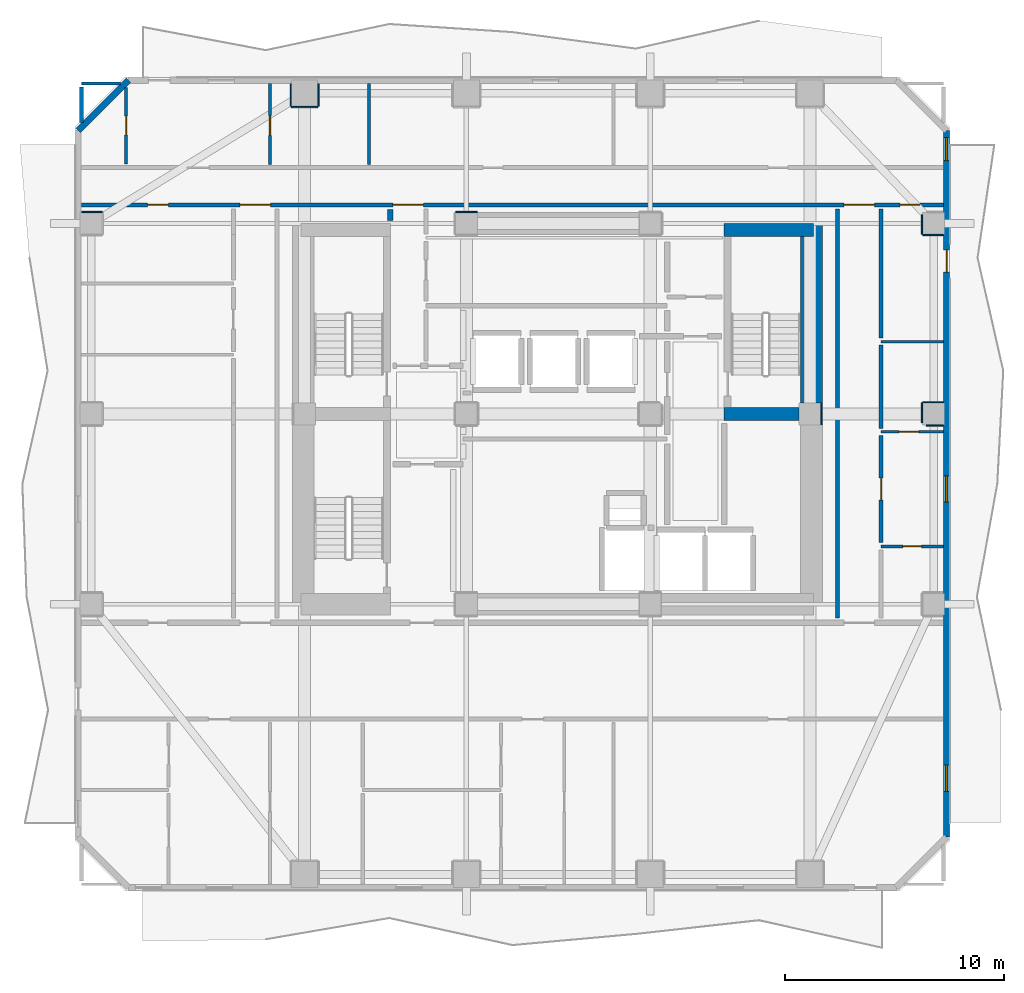
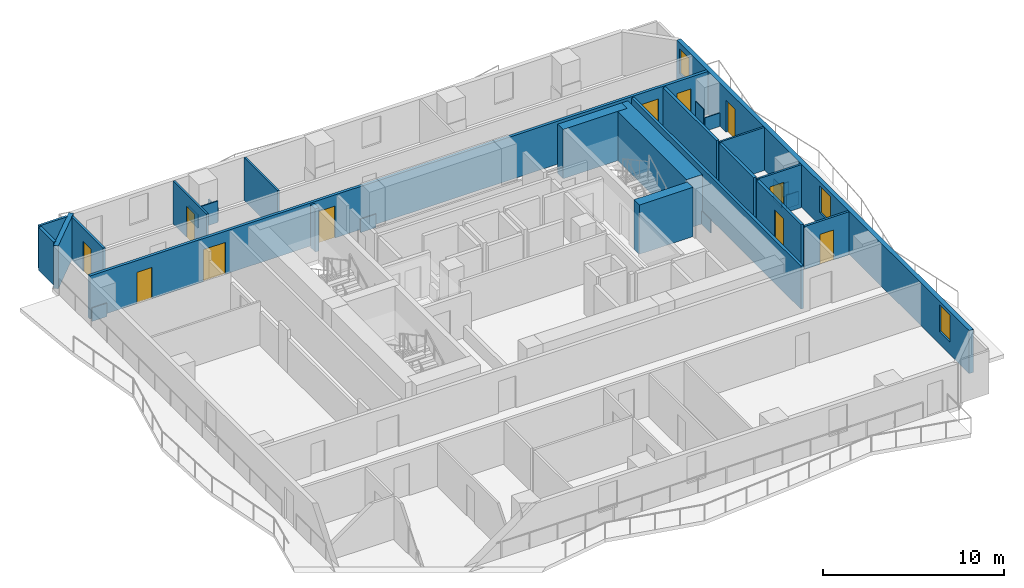
# One storey, part 5 of 10: 30 walls, 11 doors, 3 windows, 14 openings.
"""IFC4 building model written with IfcOpenShell, lengths in metres."""

from ifc_helpers import new_model, si_unit, direction, frame, frame_2d, origin, place, context, subcontext, project, spatial, rectangle, extrude, material, layer, layer_set, type_object, element, fill, save


model = new_model("IFC4")

# Units and contexts
model_context = context("Model", 3, precision=1e-05, world=origin(), true_north=direction((0.0, 1.0)))
body_context = subcontext(model_context, "Body", "Model", "MODEL_VIEW")
ifc_project = project(units=[si_unit("LENGTHUNIT", "METRE"), si_unit("AREAUNIT", "SQUARE_METRE"), si_unit("VOLUMEUNIT", "CUBIC_METRE"), si_unit("PLANEANGLEUNIT", "RADIAN"), si_unit("MASSUNIT", "GRAM", prefix="KILO")], contexts=[model_context])

# Site, building, storey
site_placement = place(None, origin())
site = spatial("IfcSite", under=ifc_project, at=site_placement, CompositionType="ELEMENT")
building_placement = place(site_placement, origin())
building = spatial("IfcBuilding", under=site, at=building_placement, Name="Solanera Arch Residences", CompositionType="ELEMENT")
storey_placement = place(building_placement, frame((0.0, 0.0, 122.679931640625)))
storey = spatial("IfcBuildingStorey", under=building, at=storey_placement, Name="L35", CompositionType="ELEMENT", Elevation=122.679931640625)

# Walls
ifc_material_1 = material(Name="Fire-Rated Gypsum Stud Partition", Category="gypsum")
ifc_layer_1 = layer(ifc_material_1, 0.06005859375)
ifc_layer_set_1 = layer_set([ifc_layer_1], Name="Fire-Rated Gypsum Stud Partition")
wall_type_1 = type_object("IfcWallType", Name="Column Acoustic Furring Wall 60", PredefinedType="PARTITIONING", material=ifc_layer_set_1)
wall_1_placement = place(storey_placement, frame((20.300048828125, 39.931884765625, 0.0), z_axis=(0.0, 0.0, 1.0), x_axis=(1.0, 0.0, 0.0)))
element("IfcWall", 1, at=wall_1_placement, inside=storey, type_object=wall_type_1, Name="L35 Column Furring 3N", PredefinedType="PARTITIONING", context=body_context, shape_type="SweptSolid", body=[
    extrude(rectangle(XDim=1.0, YDim=0.06005859375, at=frame_2d((0.5, 0.0))), origin(), (0.0, 0.0, 1.0), 0.905029296875),
])
wall_2_placement = place(storey_placement, frame((37.031982421875, 30.2099609375, 0.0), z_axis=(0.0, 0.0, 1.0), x_axis=(0.0, 1.0, 0.0)))
element("IfcWall", 2, at=wall_2_placement, inside=storey, type_object=wall_type_1, Name="L35 Column Furring 6E", PredefinedType="PARTITIONING", context=body_context, shape_type="SweptSolid", body=[
    extrude(rectangle(XDim=0.97998046875, YDim=0.06005859375, at=frame_2d((0.489990234375, 0.0))), origin(), (0.0, 0.0, 1.0), 0.905029296875),
])
wall_3_placement = place(storey_placement, frame((12.800048828125, 44.718017578125, 0.0), z_axis=(0.0, 0.0, 1.0), x_axis=(1.0, 0.0, 0.0)))
element("IfcWall", 3, at=wall_3_placement, inside=storey, type_object=wall_type_1, Name="L35 Column Furring 10S", PredefinedType="PARTITIONING", context=body_context, shape_type="SweptSolid", body=[
    extrude(rectangle(XDim=1.199951171875, YDim=0.06005859375, at=frame_2d((0.60009765625, 0.0))), origin(), (0.0, 0.0, 1.0), 1.449951171875),
])
for number, where, z_axis, x_axis, name in (
    (4, (12.76806640625, 44.75, 0.0), (0.0, 0.0, 1.0), (0.0, 1.0, 0.0), "L35 Column Furring 10W"),
    (5, (14.031982421875, 44.75, 0.0), (0.0, 0.0, 1.0), (0.0, 1.0, 0.0), "L35 Column Furring 10E"),
):
    element("IfcWall", number, at=place(storey_placement, frame(where, z_axis=z_axis, x_axis=x_axis)), inside=storey, type_object=wall_type_1, Name=name, PredefinedType="PARTITIONING", context=body_context, shape_type="SweptSolid", body=[
        extrude(rectangle(XDim=1.0400390625, YDim=0.06005859375, at=frame_2d((0.52001953125, 0.0))), origin(), (0.0, 0.0, 1.0), 0.905029296875),
    ])
wall_4_placement = place(storey_placement, frame((41.81103515625, 30.16796875, 0.0), z_axis=(0.0, 0.0, 1.0), x_axis=(1.0, 0.0, 0.0)))
element("IfcWall", 6, at=wall_4_placement, inside=storey, type_object=wall_type_1, Name="L35 Column Furring 20S", PredefinedType="PARTITIONING", context=body_context, shape_type="SweptSolid", body=[
    extrude(rectangle(XDim=0.779052734375, YDim=0.06005859375, at=frame_2d((0.3896484375, 0.0))), origin(), (0.0, 0.0, 1.0), 0.905029296875),
])
wall_5_placement = place(storey_placement, frame((41.64990234375, 31.23193359375, 0.0), z_axis=(0.0, 0.0, 1.0), x_axis=(1.0, 0.0, 0.0)))
element("IfcWall", 7, at=wall_5_placement, inside=storey, type_object=wall_type_1, Name="L35 Column Furring 20N", PredefinedType="PARTITIONING", context=body_context, shape_type="SweptSolid", body=[
    extrude(rectangle(XDim=0.940185546875, YDim=0.06005859375, at=frame_2d((0.47021484375, 0.0))), origin(), (0.0, 0.0, 1.0), 0.905029296875),
])
wall_6_placement = place(storey_placement, frame((41.617919921875, 30.302978515625, 0.0), z_axis=(0.0, 0.0, 1.0), x_axis=(0.0, 1.0, 0.0)))
element("IfcWall", 8, at=wall_6_placement, inside=storey, type_object=wall_type_1, Name="L35 Column Furring 20W", PredefinedType="PARTITIONING", context=body_context, shape_type="SweptSolid", body=[
    extrude(rectangle(XDim=0.89697265625, YDim=0.06005859375, at=frame_2d((0.448486328125, 0.0))), origin(), (0.0, 0.0, 1.0), 1.449951171875),
])
wall_7_placement = place(storey_placement, frame((3.2099609375, 39.931884765625, 0.0), z_axis=(0.0, 0.0, 1.0), x_axis=(1.0, 0.0, 0.0)))
element("IfcWall", 9, at=wall_7_placement, inside=storey, type_object=wall_type_1, Name="L35 Column Furring 21N", PredefinedType="PARTITIONING", context=body_context, shape_type="SweptSolid", body=[
    extrude(rectangle(XDim=0.93994140625, YDim=0.06005859375, at=frame_2d((0.469970703125, 0.0))), origin(), (0.0, 0.0, 1.0), 0.905029296875),
])
wall_8_placement = place(storey_placement, frame((41.64990234375, 38.867919921875, 0.0), z_axis=(0.0, 0.0, 1.0), x_axis=(1.0, 0.0, 0.0)))
element("IfcWall", 10, at=wall_8_placement, inside=storey, type_object=wall_type_1, Name="L35 Column Furring 22S", PredefinedType="PARTITIONING", context=body_context, shape_type="SweptSolid", body=[
    extrude(rectangle(XDim=0.940185546875, YDim=0.06005859375, at=frame_2d((0.47021484375, 0.0))), origin(), (0.0, 0.0, 1.0), 0.905029296875),
])
wall_9_placement = place(storey_placement, frame((41.617919921875, 38.89990234375, 0.0), z_axis=(0.0, 0.0, 1.0), x_axis=(0.0, 1.0, 0.0)))
element("IfcWall", 11, at=wall_9_placement, inside=storey, type_object=wall_type_1, Name="L35 Column Furring 22W", PredefinedType="PARTITIONING", context=body_context, shape_type="SweptSolid", body=[
    extrude(rectangle(XDim=0.9111328125, YDim=0.06005859375, at=frame_2d((0.45556640625, 0.0))), origin(), (0.0, 0.0, 1.0), 1.449951171875),
])
ifc_material_2 = material(Name="Concrete C55/67 (f'c = 60 MPa)", Category="concrete")
ifc_layer_2 = layer(ifc_material_2, 1.0)
ifc_layer_set_2 = layer_set([ifc_layer_2], Name="Concrete C55/67 (f'c = 60 MPa)")
wall_type_2 = type_object("IfcWallType", Name="Core Shear Wall CW-1000", PredefinedType="SHEAR", material=ifc_layer_set_2)
wall_10_placement = place(storey_placement, frame((36.56005859375, 31.205078125, 0.0), z_axis=(0.0, 0.0, 1.0), x_axis=(0.0, 1.0, 0.0)))
element("IfcWall", 12, at=wall_10_placement, inside=storey, type_object=wall_type_2, Name="L35 East Core North Shear Wall", PredefinedType="SHEAR", context=body_context, shape_type="SweptSolid", body=[
    extrude(rectangle(XDim=8.19482421875, YDim=1.0, at=frame_2d((4.097412109375, 0.0))), origin(), (0.0, 0.0, 1.0), 3.320068359375),
])
ifc_material_3 = material(Name="Concrete C40/50 (f'c = 45 MPa)", Category="concrete")
ifc_layer_3 = layer(ifc_material_3, 0.60009765625)
ifc_layer_set_3 = layer_set([ifc_layer_3], Name="Concrete C40/50 (f'c = 45 MPa)")
wall_type_3 = type_object("IfcWallType", Name="Core Shear Wall CW-600", PredefinedType="SHEAR", material=ifc_layer_set_3)
wall_11_placement = place(storey_placement, frame((32.580078125, 39.10009765625, 0.0), z_axis=(0.0, 0.0, 1.0), x_axis=(1.0, 0.0, 0.0)))
element("IfcWall", 13, at=wall_11_placement, inside=storey, type_object=wall_type_3, Name="L35 North-East Core Shear Wall", PredefinedType="SHEAR", context=body_context, shape_type="SweptSolid", body=[
    extrude(rectangle(XDim=4.079833984375, YDim=0.60009765625, at=frame_2d((2.0400390625, 0.0))), origin(), (0.0, 0.0, 1.0), 3.320068359375),
])
wall_12_placement = place(storey_placement, frame((32.580078125, 30.699951171875, 0.0), z_axis=(0.0, 0.0, 1.0), x_axis=(1.0, 0.0, 0.0)))
element("IfcWall", 14, at=wall_12_placement, inside=storey, type_object=wall_type_3, Name="L35 East Stair Far-Landing Shear Wall", PredefinedType="SHEAR", context=body_context, shape_type="SweptSolid", body=[
    extrude(rectangle(XDim=3.4150390625, YDim=0.60009765625, at=frame_2d((1.70751953125, 0.0))), origin(), (0.0, 0.0, 1.0), 3.320068359375),
])

# Wall, openings, doors
ifc_material_4 = material(Name="Autoclaved Aerated Concrete Blockwork", Category="masonry")
ifc_layer_4 = layer(ifc_material_4, 0.179931640625)
ifc_layer_set_4 = layer_set([ifc_layer_4], Name="Autoclaved Aerated Concrete Blockwork")
wall_type_4 = type_object("IfcWallType", Name="Corridor Fire Partition 180", PredefinedType="PARTITIONING", material=ifc_layer_set_4)
wall_13_placement = place(storey_placement, frame((3.20703125, 40.25, 0.0), z_axis=(0.0, 0.0, 1.0), x_axis=(1.0, 0.0, 0.0)))
wall_13 = element("IfcWall", 15, at=wall_13_placement, inside=storey, type_object=wall_type_4, Name="L35 Interior Partition H11", PredefinedType="PARTITIONING", context=body_context, shape_type="SweptSolid", body=[
    extrude(rectangle(XDim=39.385986328125, YDim=0.179931640625, at=frame_2d((19.69287109375, 0.0))), origin(), (0.0, 0.0, 1.0), 2.900146484375),
])
opening_1_placement = place(wall_13_placement, frame((14.22802734375, 0.0, 0.0)))
opening_1 = element("IfcOpeningElement", 16, at=opening_1_placement, cuts=wall_13, Name="Opening DF-03", PredefinedType="OPENING", context=body_context, shape_type="SweptSolid", body=[
    extrude(rectangle(XDim=1.39990234375, YDim=2.14990234375, at=frame_2d((0.699951171875, 1.074951171875))), frame((0.0, 0.10009765625, 0.0), z_axis=(0.0, -1.0, 0.0), x_axis=(1.0, 0.0, 0.0)), (0.0, 0.0, 1.0), 0.1999),
])
opening_2_placement = place(wall_13_placement, frame((7.242919921875, 0.0, 0.0)))
opening_2 = element("IfcOpeningElement", 17, at=opening_2_placement, cuts=wall_13, Name="Opening DF-03", PredefinedType="OPENING", context=body_context, shape_type="SweptSolid", body=[
    extrude(rectangle(XDim=1.39990234375, YDim=2.14990234375, at=frame_2d((0.699951171875, 1.074951171875))), frame((0.0, 0.10009765625, 0.0), z_axis=(0.0, -1.0, 0.0), x_axis=(1.0, 0.0, 0.0)), (0.0, 0.0, 1.0), 0.1999),
])
opening_3_placement = place(wall_13_placement, frame((34.843017578125, 0.0, 0.0)))
opening_3 = element("IfcOpeningElement", 18, at=opening_3_placement, cuts=wall_13, Name="Opening DF-03", PredefinedType="OPENING", context=body_context, shape_type="SweptSolid", body=[
    extrude(rectangle(XDim=1.39990234375, YDim=2.14990234375, at=frame_2d((0.699951171875, 1.074951171875))), frame((0.0, 0.10009765625, 0.0), z_axis=(0.0, -1.0, 0.0), x_axis=(1.0, 0.0, 0.0)), (0.0, 0.0, 1.0), 0.1999),
])
opening_4_placement = place(wall_13_placement, frame((3.01708984375, 0.0, 0.0)))
opening_4 = element("IfcOpeningElement", 19, at=opening_4_placement, cuts=wall_13, Name="Opening DI-04", PredefinedType="OPENING", context=body_context, shape_type="SweptSolid", body=[
    extrude(rectangle(XDim=0.949951171875, YDim=2.10009765625, at=frame_2d((0.47509765625, 1.050048828125))), frame((0.0, 0.10009765625, 0.0), z_axis=(0.0, -1.0, 0.0), x_axis=(1.0, 0.0, 0.0)), (0.0, 0.0, 1.0), 0.1999),
])
opening_5_placement = place(wall_13_placement, frame((37.4140625, 0.0, 0.0)))
opening_5 = element("IfcOpeningElement", 20, at=opening_5_placement, cuts=wall_13, Name="Opening DI-02", PredefinedType="OPENING", context=body_context, shape_type="SweptSolid", body=[
    extrude(rectangle(XDim=0.89990234375, YDim=2.10009765625, at=frame_2d((0.449951171875, 1.050048828125))), frame((0.0, 0.10009765625, 0.0), z_axis=(0.0, -1.0, 0.0), x_axis=(1.0, 0.0, 0.0)), (0.0, 0.0, 1.0), 0.1999),
])
ifc_material_5 = material(Name="Fire-Rated Architectural Hardwood", Category="wood")
door_type_1 = type_object("IfcDoorType", Name="Accessible Restroom Door DI-04", OperationType="NOTDEFINED", PredefinedType="DOOR", material=ifc_material_5)
door_1_placement = place(opening_4_placement, origin())
door_1 = element("IfcDoor", 21, at=door_1_placement, inside=storey, type_object=door_type_1, Name="DR-L35-IN-033", OperationType="SINGLE_SWING_LEFT", OverallHeight=2.10009765625, OverallWidth=0.949951171875, PredefinedType="DOOR", context=body_context, shape_type="SweptSolid", body=[
    extrude(rectangle(XDim=0.949951171875, YDim=2.10009765625, at=frame_2d((0.47509765625, 1.050048828125))), frame((0.0, 0.02490234375, 0.0), z_axis=(0.0, -1.0, 0.0), x_axis=(1.0, 0.0, 0.0)), (0.0, 0.0, 1.0), 0.050048828125),
])
fill(opening_4, door_1)
ifc_material_6 = material(Name="Fire-Rated Architectural Hardwood", Category="wood")
door_type_2 = type_object("IfcDoorType", Name="Corridor Smoke Door DF-03", OperationType="NOTDEFINED", PredefinedType="DOOR", material=ifc_material_6)
door_2_placement = place(opening_1_placement, origin())
door_2 = element("IfcDoor", 22, at=door_2_placement, inside=storey, type_object=door_type_2, Name="DR-L35-IN-009", OperationType="SINGLE_SWING_LEFT", OverallHeight=2.14990234375, OverallWidth=1.39990234375, PredefinedType="DOOR", context=body_context, shape_type="SweptSolid", body=[
    extrude(rectangle(XDim=1.39990234375, YDim=2.14990234375, at=frame_2d((0.699951171875, 1.074951171875))), frame((0.0, 0.02490234375, 0.0), z_axis=(0.0, -1.0, 0.0), x_axis=(1.0, 0.0, 0.0)), (0.0, 0.0, 1.0), 0.050048828125),
])
fill(opening_1, door_2)
door_3_placement = place(opening_2_placement, origin())
door_3 = element("IfcDoor", 23, at=door_3_placement, inside=storey, type_object=door_type_2, Name="DR-L35-IN-012", OperationType="SINGLE_SWING_RIGHT", OverallHeight=2.14990234375, OverallWidth=1.39990234375, PredefinedType="DOOR", context=body_context, shape_type="SweptSolid", body=[
    extrude(rectangle(XDim=1.39990234375, YDim=2.14990234375, at=frame_2d((0.699951171875, 1.074951171875))), frame((0.0, 0.02490234375, 0.0), z_axis=(0.0, -1.0, 0.0), x_axis=(1.0, 0.0, 0.0)), (0.0, 0.0, 1.0), 0.050048828125),
])
fill(opening_2, door_3)
door_4_placement = place(opening_3_placement, origin())
door_4 = element("IfcDoor", 24, at=door_4_placement, inside=storey, type_object=door_type_2, Name="DR-L35-IN-013", OperationType="SINGLE_SWING_LEFT", OverallHeight=2.14990234375, OverallWidth=1.39990234375, PredefinedType="DOOR", context=body_context, shape_type="SweptSolid", body=[
    extrude(rectangle(XDim=1.39990234375, YDim=2.14990234375, at=frame_2d((0.699951171875, 1.074951171875))), frame((0.0, 0.02490234375, 0.0), z_axis=(0.0, -1.0, 0.0), x_axis=(1.0, 0.0, 0.0)), (0.0, 0.0, 1.0), 0.050048828125),
])
fill(opening_3, door_4)
ifc_material_7 = material(Name="Fire-Rated Architectural Hardwood", Category="wood")
door_type_3 = type_object("IfcDoorType", Name="Suite Room Swing Door DI-02", OperationType="NOTDEFINED", PredefinedType="DOOR", material=ifc_material_7)
door_5_placement = place(opening_5_placement, origin())
door_5 = element("IfcDoor", 25, at=door_5_placement, inside=storey, type_object=door_type_3, Name="DR-L35-IN-037", OperationType="SINGLE_SWING_LEFT", OverallHeight=2.10009765625, OverallWidth=0.89990234375, PredefinedType="DOOR", context=body_context, shape_type="SweptSolid", body=[
    extrude(rectangle(XDim=0.89990234375, YDim=2.10009765625, at=frame_2d((0.449951171875, 1.050048828125))), frame((0.0, 0.02490234375, 0.0), z_axis=(0.0, -1.0, 0.0), x_axis=(1.0, 0.0, 0.0)), (0.0, 0.0, 1.0), 0.050048828125),
])
fill(opening_5, door_5)

# Walls
wall_14_placement = place(storey_placement, frame((3.199951171875, 44.0048828125, 0.0), z_axis=(0.0, 0.0, 1.0), x_axis=(0.0, 1.0, 0.0)))
element("IfcWall", 26, at=wall_14_placement, inside=storey, type_object=wall_type_4, Name="L35 Interior Partition V7 2", PredefinedType="PARTITIONING", context=body_context, shape_type="SweptSolid", body=[
    extrude(rectangle(XDim=1.627197265625, YDim=0.179931640625, at=frame_2d((0.8134765625, 0.0))), origin(), (0.0, 0.0, 1.0), 2.900146484375),
])
wall_15_placement = place(storey_placement, frame((37.75, 21.367919921875, 0.0), z_axis=(0.0, 0.0, 1.0), x_axis=(0.0, 1.0, 0.0)))
element("IfcWall", 27, at=wall_15_placement, inside=storey, type_object=wall_type_4, Name="L35 Interior Partition V11", PredefinedType="PARTITIONING", context=body_context, shape_type="SweptSolid", body=[
    extrude(rectangle(XDim=18.694091796875, YDim=0.179931640625, at=frame_2d((9.34716796875, 0.0))), origin(), (0.0, 0.0, 1.0), 2.900146484375),
])

# Wall, opening, door
wall_16_placement = place(storey_placement, frame((39.75, 24.81298828125, 0.0), z_axis=(0.0, 0.0, 1.0), x_axis=(0.0, 1.0, 0.0)))
wall_16 = element("IfcWall", 28, at=wall_16_placement, inside=storey, type_object=wall_type_4, Name="L35 Interior Partition V12 2", PredefinedType="PARTITIONING", context=body_context, shape_type="SweptSolid", body=[
    extrude(rectangle(XDim=4.908935546875, YDim=0.179931640625, at=frame_2d((2.45458984375, 0.0))), origin(), (0.0, 0.0, 1.0), 2.900146484375),
])
opening_6_placement = place(wall_16_placement, frame((1.949951171875, 0.0, 0.0)))
opening_6 = element("IfcOpeningElement", 29, at=opening_6_placement, cuts=wall_16, Name="Opening DI-01", PredefinedType="OPENING", context=body_context, shape_type="SweptSolid", body=[
    extrude(rectangle(XDim=1.0, YDim=2.14990234375, at=frame_2d((0.5, 1.074951171875))), frame((0.0, 0.10009765625, 0.0), z_axis=(0.0, -1.0, 0.0), x_axis=(1.0, 0.0, 0.0)), (0.0, 0.0, 1.0), 0.1999),
])
ifc_material_8 = material(Name="Fire-Rated Architectural Hardwood", Category="wood")
door_type_4 = type_object("IfcDoorType", Name="Unit Entrance Fire Door DI-01", OperationType="NOTDEFINED", PredefinedType="DOOR", material=ifc_material_8)
door_6_placement = place(opening_6_placement, origin())
door_6 = element("IfcDoor", 30, at=door_6_placement, inside=storey, type_object=door_type_4, Name="DR-L35-IN-034", OperationType="SINGLE_SWING_RIGHT", OverallHeight=2.14990234375, OverallWidth=1.0, PredefinedType="DOOR", context=body_context, shape_type="SweptSolid", body=[
    extrude(rectangle(XDim=1.0, YDim=2.14990234375, at=frame_2d((0.5, 1.074951171875))), frame((0.0, 0.02490234375, 0.0), z_axis=(0.0, -1.0, 0.0), x_axis=(1.0, 0.0, 0.0)), (0.0, 0.0, 1.0), 0.050048828125),
])
fill(opening_6, door_6)

# Walls
wall_17_placement = place(storey_placement, frame((39.75, 30.0380859375, 0.0), z_axis=(0.0, 0.0, 1.0), x_axis=(0.0, 1.0, 0.0)))
element("IfcWall", 31, at=wall_17_placement, inside=storey, type_object=wall_type_4, Name="L35 Interior Partition V12 3", PredefinedType="PARTITIONING", context=body_context, shape_type="SweptSolid", body=[
    extrude(rectangle(XDim=3.803955078125, YDim=0.179931640625, at=frame_2d((1.90185546875, 0.0))), origin(), (0.0, 0.0, 1.0), 2.900146484375),
])
wall_18_placement = place(storey_placement, frame((39.75, 34.157958984375, 0.0), z_axis=(0.0, 0.0, 1.0), x_axis=(0.0, 1.0, 0.0)))
element("IfcWall", 32, at=wall_18_placement, inside=storey, type_object=wall_type_4, Name="L35 Interior Partition V12 4", PredefinedType="PARTITIONING", context=body_context, shape_type="SweptSolid", body=[
    extrude(rectangle(XDim=5.904052734375, YDim=0.179931640625, at=frame_2d((2.9521484375, 0.0))), origin(), (0.0, 0.0, 1.0), 2.900146484375),
])
ifc_material_9 = material(Name="Precast Concrete C35/45", Category="concrete")
ifc_layer_5 = layer(ifc_material_9, 0.280029296875)
ifc_layer_set_5 = layer_set([ifc_layer_5], Name="Precast Concrete C35/45")
wall_type_5 = type_object("IfcWallType", Name="Exterior Wall Precast Masonry-Frame 280", PredefinedType="STANDARD", material=ifc_layer_set_5)
wall_19_placement = place(storey_placement, frame((3.054931640625, 43.64501953125, 0.0), z_axis=(0.0, 0.0, 1.0), x_axis=(0.707106781187, 0.707106781187, 0.0)))
element("IfcWall", 33, at=wall_19_placement, inside=storey, type_object=wall_type_5, Name="L35 Tower Exterior Precast Masonry-Frame Wall CH1", PredefinedType="STANDARD", context=body_context, shape_type="SweptSolid", body=[
    extrude(rectangle(XDim=3.252685546875, YDim=0.280029296875, at=frame_2d((1.62646484375, 0.0))), origin(), (0.0, 0.0, 1.0), 2.900146484375),
])

# Wall, openings, door, windows
wall_20_placement = place(storey_placement, frame((42.7451171875, 43.64501953125, 0.0), z_axis=(0.0, 0.0, 1.0), x_axis=(0.0, -1.0, 0.0)))
wall_20 = element("IfcWall", 34, at=wall_20_placement, inside=storey, type_object=wall_type_5, Name="L35 Tower Exterior Precast Masonry-Frame Wall E", PredefinedType="STANDARD", context=body_context, shape_type="SweptSolid", body=[
    extrude(rectangle(XDim=32.2900390625, YDim=0.280029296875, at=frame_2d((16.14501953125, 0.0))), origin(), (0.0, 0.0, 1.0), 2.900146484375),
])
opening_7_placement = place(wall_20_placement, frame((5.467041015625, 0.0, 0.0)))
opening_7 = element("IfcOpeningElement", 35, at=opening_7_placement, cuts=wall_20, Name="Opening DB-01", PredefinedType="OPENING", context=body_context, shape_type="SweptSolid", body=[
    extrude(rectangle(XDim=1.0, YDim=2.14990234375, at=frame_2d((0.5, 1.074951171875))), frame((0.0, 0.14990234375, 0.0), z_axis=(0.0, -1.0, 0.0), x_axis=(1.0, 0.0, 0.0)), (0.0, 0.0, 1.0), 0.3),
])
opening_8_placement = place(wall_20_placement, frame((28.998046875, 0.0, 0.85009765625)))
opening_8 = element("IfcOpeningElement", 36, at=opening_8_placement, cuts=wall_20, Name="Opening W-01", PredefinedType="OPENING", context=body_context, shape_type="SweptSolid", body=[
    extrude(rectangle(XDim=1.199951171875, YDim=1.800048828125, at=frame_2d((0.60009765625, 0.89990234375))), frame((0.0, 0.14990234375, 0.0), z_axis=(0.0, -1.0, 0.0), x_axis=(1.0, 0.0, 0.0)), (0.0, 0.0, 1.0), 0.3),
])
opening_9_placement = place(wall_20_placement, frame((0.318115234375, 0.0, 0.85009765625)))
opening_9 = element("IfcOpeningElement", 37, at=opening_9_placement, cuts=wall_20, Name="Opening W-07", PredefinedType="OPENING", context=body_context, shape_type="SweptSolid", body=[
    extrude(rectangle(XDim=1.050048828125, YDim=1.64990234375, at=frame_2d((0.52490234375, 0.824951171875))), frame((0.0, 0.14990234375, 0.0), z_axis=(0.0, -1.0, 0.0), x_axis=(1.0, 0.0, 0.0)), (0.0, 0.0, 1.0), 0.3),
])
opening_10_placement = place(wall_20_placement, frame((15.782958984375, 0.0, 0.85009765625)))
opening_10 = element("IfcOpeningElement", 38, at=opening_10_placement, cuts=wall_20, Name="Opening W-01", PredefinedType="OPENING", context=body_context, shape_type="SweptSolid", body=[
    extrude(rectangle(XDim=1.199951171875, YDim=1.800048828125, at=frame_2d((0.60009765625, 0.89990234375))), frame((0.0, 0.14990234375, 0.0), z_axis=(0.0, -1.0, 0.0), x_axis=(1.0, 0.0, 0.0)), (0.0, 0.0, 1.0), 0.3),
])
ifc_material_10 = material(Name="Anodised Aluminium Alloy 6063-T6", Category="aluminium")
door_type_5 = type_object("IfcDoorType", Name="Glazed Balcony Swing Door DB-01", OperationType="NOTDEFINED", PredefinedType="DOOR", material=ifc_material_10)
door_7_placement = place(opening_7_placement, origin())
door_7 = element("IfcDoor", 39, at=door_7_placement, inside=storey, type_object=door_type_5, Name="DR-L35-OUT-03", OperationType="SINGLE_SWING_LEFT", OverallHeight=2.14990234375, OverallWidth=1.0, PredefinedType="DOOR", context=body_context, shape_type="SweptSolid", body=[
    extrude(rectangle(XDim=1.0, YDim=2.14990234375, at=frame_2d((0.5, 1.074951171875))), frame((0.0, 0.02490234375, 0.0), z_axis=(0.0, -1.0, 0.0), x_axis=(1.0, 0.0, 0.0)), (0.0, 0.0, 1.0), 0.050048828125),
])
fill(opening_7, door_7)
ifc_material_11 = material(Name="Double Glazed Low-E Laminated Glass", Category="glass")
window_type_1 = type_object("IfcWindowType", Name="Punched Window W-01", PartitioningType="SINGLE_PANEL", PredefinedType="WINDOW", material=ifc_material_11)
window_1_placement = place(opening_8_placement, origin())
window_1 = element("IfcWindow", 40, at=window_1_placement, inside=storey, type_object=window_type_1, Name="L35 AMN-LNG Punched Window", OverallHeight=1.800048828125, OverallWidth=1.199951171875, PartitioningType="SINGLE_PANEL", PredefinedType="WINDOW", context=body_context, shape_type="SweptSolid", body=[
    extrude(rectangle(XDim=1.199951171875, YDim=1.800048828125, at=frame_2d((0.60009765625, 0.89990234375))), frame((0.0, 0.030029296875, 0.0), z_axis=(0.0, -1.0, 0.0), x_axis=(1.0, 0.0, 0.0)), (0.0, 0.0, 1.0), 0.06005859375),
])
fill(opening_8, window_1)
window_2_placement = place(opening_10_placement, origin())
window_2 = element("IfcWindow", 41, at=window_2_placement, inside=storey, type_object=window_type_1, Name="L35 3504-LIV Punched Window", OverallHeight=1.800048828125, OverallWidth=1.199951171875, PartitioningType="SINGLE_PANEL", PredefinedType="WINDOW", context=body_context, shape_type="SweptSolid", body=[
    extrude(rectangle(XDim=1.199951171875, YDim=1.800048828125, at=frame_2d((0.60009765625, 0.89990234375))), frame((0.0, 0.030029296875, 0.0), z_axis=(0.0, -1.0, 0.0), x_axis=(1.0, 0.0, 0.0)), (0.0, 0.0, 1.0), 0.06005859375),
])
fill(opening_10, window_2)
ifc_material_12 = material(Name="Double Glazed Low-E Laminated Glass", Category="glass")
window_type_2 = type_object("IfcWindowType", Name="Punched Window W-07", PartitioningType="SINGLE_PANEL", PredefinedType="WINDOW", material=ifc_material_12)
window_3_placement = place(opening_9_placement, origin())
window_3 = element("IfcWindow", 42, at=window_3_placement, inside=storey, type_object=window_type_2, Name="L35 AMN-MTG2 Punched Window", OverallHeight=1.64990234375, OverallWidth=1.050048828125, PartitioningType="SINGLE_PANEL", PredefinedType="WINDOW", context=body_context, shape_type="SweptSolid", body=[
    extrude(rectangle(XDim=1.050048828125, YDim=1.64990234375, at=frame_2d((0.52490234375, 0.824951171875))), frame((0.0, 0.030029296875, 0.0), z_axis=(0.0, -1.0, 0.0), x_axis=(1.0, 0.0, 0.0)), (0.0, 0.0, 1.0), 0.06005859375),
])
fill(opening_9, window_3)

# Wall
ifc_material_13 = material(Name="Autoclaved Aerated Concrete Blockwork", Category="masonry")
ifc_layer_6 = layer(ifc_material_13, 0.239990234375)
ifc_layer_set_6 = layer_set([ifc_layer_6], Name="Autoclaved Aerated Concrete Blockwork")
wall_type_6 = type_object("IfcWallType", Name="Shaft Wall Fire-Rated 240", PredefinedType="PARTITIONING", material=ifc_layer_set_6)
wall_21_placement = place(storey_placement, frame((17.320068359375, 39.530029296875, 0.0), z_axis=(0.0, 0.0, 1.0), x_axis=(0.0, 1.0, 0.0)))
element("IfcWall", 43, at=wall_21_placement, inside=storey, type_object=wall_type_6, Name="L35 Interior Partition V1", PredefinedType="PARTITIONING", context=body_context, shape_type="SweptSolid", body=[
    extrude(rectangle(XDim=0.501953125, YDim=0.239990234375, at=frame_2d((0.2509765625, 0.0))), origin(), (0.0, 0.0, 1.0), 2.900146484375),
])

# Wall, opening, door
ifc_material_14 = material(Name="Fire-Rated Gypsum Stud Partition", Category="gypsum")
ifc_layer_7 = layer(ifc_material_14, 0.1201171875)
ifc_layer_set_7 = layer_set([ifc_layer_7], Name="Fire-Rated Gypsum Stud Partition")
wall_type_7 = type_object("IfcWallType", Name="Unit Drywall Partition 120", PredefinedType="PARTITIONING", material=ifc_layer_set_7)
wall_22_placement = place(storey_placement, frame((39.75, 29.8798828125, 0.0), z_axis=(0.0, 0.0, 1.0), x_axis=(1.0, 0.0, 0.0)))
wall_22 = element("IfcWall", 44, at=wall_22_placement, inside=storey, type_object=wall_type_7, Name="L35 Interior Partition H19", PredefinedType="PARTITIONING", context=body_context, shape_type="SweptSolid", body=[
    extrude(rectangle(XDim=2.843017578125, YDim=0.1201171875, at=frame_2d((1.42138671875, 0.0))), origin(), (0.0, 0.0, 1.0), 2.900146484375),
])
opening_11_placement = place(wall_22_placement, frame((0.81494140625, 0.0, 0.0)))
opening_11 = element("IfcOpeningElement", 45, at=opening_11_placement, cuts=wall_22, Name="Opening DI-02", PredefinedType="OPENING", context=body_context, shape_type="SweptSolid", body=[
    extrude(rectangle(XDim=0.89990234375, YDim=2.10009765625, at=frame_2d((0.449951171875, 1.050048828125))), frame((0.0, 0.070068359375, 0.0), z_axis=(0.0, -1.0, 0.0), x_axis=(1.0, 0.0, 0.0)), (0.0, 0.0, 1.0), 0.1401),
])
door_8_placement = place(opening_11_placement, origin())
door_8 = element("IfcDoor", 46, at=door_8_placement, inside=storey, type_object=door_type_3, Name="DR-L35-IN-036", OperationType="SINGLE_SWING_RIGHT", OverallHeight=2.10009765625, OverallWidth=0.89990234375, PredefinedType="DOOR", context=body_context, shape_type="SweptSolid", body=[
    extrude(rectangle(XDim=0.89990234375, YDim=2.10009765625, at=frame_2d((0.449951171875, 1.050048828125))), frame((0.0, 0.02490234375, 0.0), z_axis=(0.0, -1.0, 0.0), x_axis=(1.0, 0.0, 0.0)), (0.0, 0.0, 1.0), 0.050048828125),
])
fill(opening_11, door_8)

# Wall
wall_23_placement = place(storey_placement, frame((39.75, 34.0, 0.0), z_axis=(0.0, 0.0, 1.0), x_axis=(1.0, 0.0, 0.0)))
element("IfcWall", 47, at=wall_23_placement, inside=storey, type_object=wall_type_7, Name="L35 Interior Partition H21", PredefinedType="PARTITIONING", context=body_context, shape_type="SweptSolid", body=[
    extrude(rectangle(XDim=2.843017578125, YDim=0.1201171875, at=frame_2d((1.42138671875, 0.0))), origin(), (0.0, 0.0, 1.0), 2.900146484375),
])

# Wall, opening, door
wall_24_placement = place(storey_placement, frame((11.820068359375, 42.10791015625, 0.0), z_axis=(0.0, 0.0, 1.0), x_axis=(0.0, 1.0, 0.0)))
wall_24 = element("IfcWall", 48, at=wall_24_placement, inside=storey, type_object=wall_type_7, Name="L35 Interior Partition V19", PredefinedType="PARTITIONING", context=body_context, shape_type="SweptSolid", body=[
    extrude(rectangle(XDim=3.68505859375, YDim=0.1201171875, at=frame_2d((1.842529296875, 0.0))), origin(), (0.0, 0.0, 1.0), 2.900146484375),
])
opening_12_placement = place(wall_24_placement, frame((1.31689453125, 0.0, 0.0)))
opening_12 = element("IfcOpeningElement", 49, at=opening_12_placement, cuts=wall_24, Name="Opening DI-02", PredefinedType="OPENING", context=body_context, shape_type="SweptSolid", body=[
    extrude(rectangle(XDim=0.89990234375, YDim=2.10009765625, at=frame_2d((0.449951171875, 1.050048828125))), frame((0.0, 0.070068359375, 0.0), z_axis=(0.0, -1.0, 0.0), x_axis=(1.0, 0.0, 0.0)), (0.0, 0.0, 1.0), 0.1401),
])
door_9_placement = place(opening_12_placement, origin())
door_9 = element("IfcDoor", 50, at=door_9_placement, inside=storey, type_object=door_type_3, Name="DR-L35-IN-028", OperationType="SINGLE_SWING_RIGHT", OverallHeight=2.10009765625, OverallWidth=0.89990234375, PredefinedType="DOOR", context=body_context, shape_type="SweptSolid", body=[
    extrude(rectangle(XDim=0.89990234375, YDim=2.10009765625, at=frame_2d((0.449951171875, 1.050048828125))), frame((0.0, 0.02490234375, 0.0), z_axis=(0.0, -1.0, 0.0), x_axis=(1.0, 0.0, 0.0)), (0.0, 0.0, 1.0), 0.050048828125),
])
fill(opening_12, door_9)

# Wall
wall_25_placement = place(storey_placement, frame((16.343994140625, 42.10791015625, 0.0), z_axis=(0.0, 0.0, 1.0), x_axis=(0.0, 1.0, 0.0)))
element("IfcWall", 51, at=wall_25_placement, inside=storey, type_object=wall_type_7, Name="L35 Interior Partition V20", PredefinedType="PARTITIONING", context=body_context, shape_type="SweptSolid", body=[
    extrude(rectangle(XDim=3.68505859375, YDim=0.1201171875, at=frame_2d((1.842529296875, 0.0))), origin(), (0.0, 0.0, 1.0), 2.900146484375),
])

# Wall, opening, door
ifc_material_15 = material(Name="Autoclaved Aerated Concrete Blockwork", Category="masonry")
ifc_layer_8 = layer(ifc_material_15, 0.139892578125)
ifc_layer_set_8 = layer_set([ifc_layer_8], Name="Autoclaved Aerated Concrete Blockwork")
wall_type_8 = type_object("IfcWallType", Name="Wet-Room Partition 140", PredefinedType="PARTITIONING", material=ifc_layer_set_8)
wall_26_placement = place(storey_placement, frame((39.75, 24.64501953125, 0.0), z_axis=(0.0, 0.0, 1.0), x_axis=(1.0, 0.0, 0.0)))
wall_26 = element("IfcWall", 52, at=wall_26_placement, inside=storey, type_object=wall_type_8, Name="L35 Interior Partition H15", PredefinedType="PARTITIONING", context=body_context, shape_type="SweptSolid", body=[
    extrude(rectangle(XDim=2.843017578125, YDim=0.139892578125, at=frame_2d((1.42138671875, 0.0))), origin(), (0.0, 0.0, 1.0), 2.900146484375),
])
opening_13_placement = place(wall_26_placement, frame((0.9951171875, 0.0, 0.0)))
opening_13 = element("IfcOpeningElement", 53, at=opening_13_placement, cuts=wall_26, Name="Opening DI-05", PredefinedType="OPENING", context=body_context, shape_type="SweptSolid", body=[
    extrude(rectangle(XDim=0.860107421875, YDim=2.02001953125, at=frame_2d((0.43017578125, 1.010009765625))), frame((0.0, 0.079833984375, 0.0), z_axis=(0.0, -1.0, 0.0), x_axis=(1.0, 0.0, 0.0)), (0.0, 0.0, 1.0), 0.1599),
])
ifc_material_16 = material(Name="Fire-Rated Architectural Hardwood", Category="wood")
door_type_6 = type_object("IfcDoorType", Name="Bathroom Swing Door DI-05", OperationType="NOTDEFINED", PredefinedType="DOOR", material=ifc_material_16)
door_10_placement = place(opening_13_placement, origin())
door_10 = element("IfcDoor", 54, at=door_10_placement, inside=storey, type_object=door_type_6, Name="DR-L35-IN-035", OperationType="SINGLE_SWING_LEFT", OverallHeight=2.02001953125, OverallWidth=0.860107421875, PredefinedType="DOOR", context=body_context, shape_type="SweptSolid", body=[
    extrude(rectangle(XDim=0.860107421875, YDim=2.02001953125, at=frame_2d((0.43017578125, 1.010009765625))), frame((0.0, 0.02490234375, 0.0), z_axis=(0.0, -1.0, 0.0), x_axis=(1.0, 0.0, 0.0)), (0.0, 0.0, 1.0), 0.050048828125),
])
fill(opening_13, door_10)

# Wall
wall_27_placement = place(storey_placement, frame((3.199951171875, 45.800048828125, 0.0), z_axis=(0.0, 0.0, 1.0), x_axis=(1.0, 0.0, 0.0)))
element("IfcWall", 55, at=wall_27_placement, inside=storey, type_object=wall_type_8, Name="L35 Interior Partition H17 1", PredefinedType="PARTITIONING", context=body_context, shape_type="SweptSolid", body=[
    extrude(rectangle(XDim=1.795166015625, YDim=0.139892578125, at=frame_2d((0.8974609375, 0.0))), origin(), (0.0, 0.0, 1.0), 2.900146484375),
])

# Wall, opening, door
wall_28_placement = place(storey_placement, frame((5.25, 42.117919921875, 0.0), z_axis=(0.0, 0.0, 1.0), x_axis=(0.0, 1.0, 0.0)))
wall_28 = element("IfcWall", 56, at=wall_28_placement, inside=storey, type_object=wall_type_8, Name="L35 Interior Partition V14", PredefinedType="PARTITIONING", context=body_context, shape_type="SweptSolid", body=[
    extrude(rectangle(XDim=3.507080078125, YDim=0.139892578125, at=frame_2d((1.75341796875, 0.0))), origin(), (0.0, 0.0, 1.0), 2.900146484375),
])
opening_14_placement = place(wall_28_placement, frame((1.326904296875, 0.0, 0.0)))
opening_14 = element("IfcOpeningElement", 57, at=opening_14_placement, cuts=wall_28, Name="Opening DI-05", PredefinedType="OPENING", context=body_context, shape_type="SweptSolid", body=[
    extrude(rectangle(XDim=0.860107421875, YDim=2.02001953125, at=frame_2d((0.43017578125, 1.010009765625))), frame((0.0, 0.079833984375, 0.0), z_axis=(0.0, -1.0, 0.0), x_axis=(1.0, 0.0, 0.0)), (0.0, 0.0, 1.0), 0.1599),
])
door_11_placement = place(opening_14_placement, origin())
door_11 = element("IfcDoor", 58, at=door_11_placement, inside=storey, type_object=door_type_6, Name="DR-L35-IN-027", OperationType="SINGLE_SWING_LEFT", OverallHeight=2.02001953125, OverallWidth=0.860107421875, PredefinedType="DOOR", context=body_context, shape_type="SweptSolid", body=[
    extrude(rectangle(XDim=0.860107421875, YDim=2.02001953125, at=frame_2d((0.43017578125, 1.010009765625))), frame((0.0, 0.02490234375, 0.0), z_axis=(0.0, -1.0, 0.0), x_axis=(1.0, 0.0, 0.0)), (0.0, 0.0, 1.0), 0.050048828125),
])
fill(opening_14, door_11)

save(model, "model.ifc")
